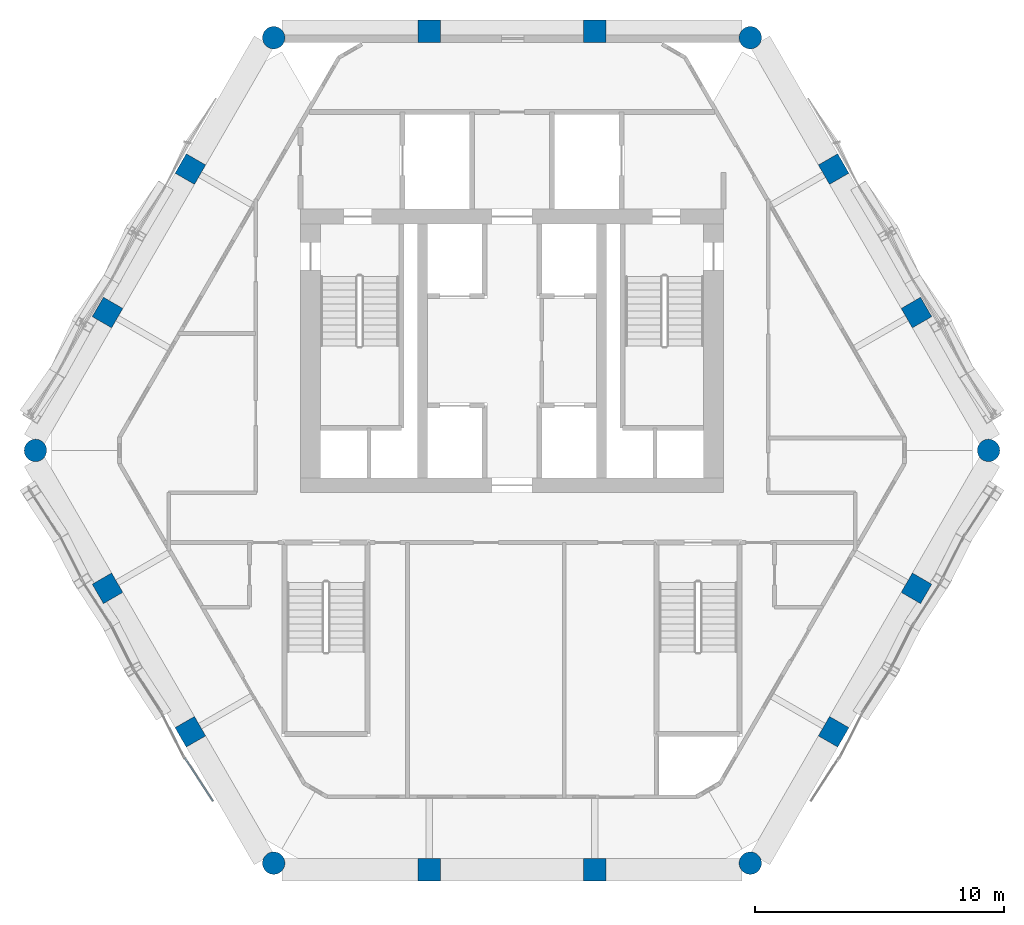
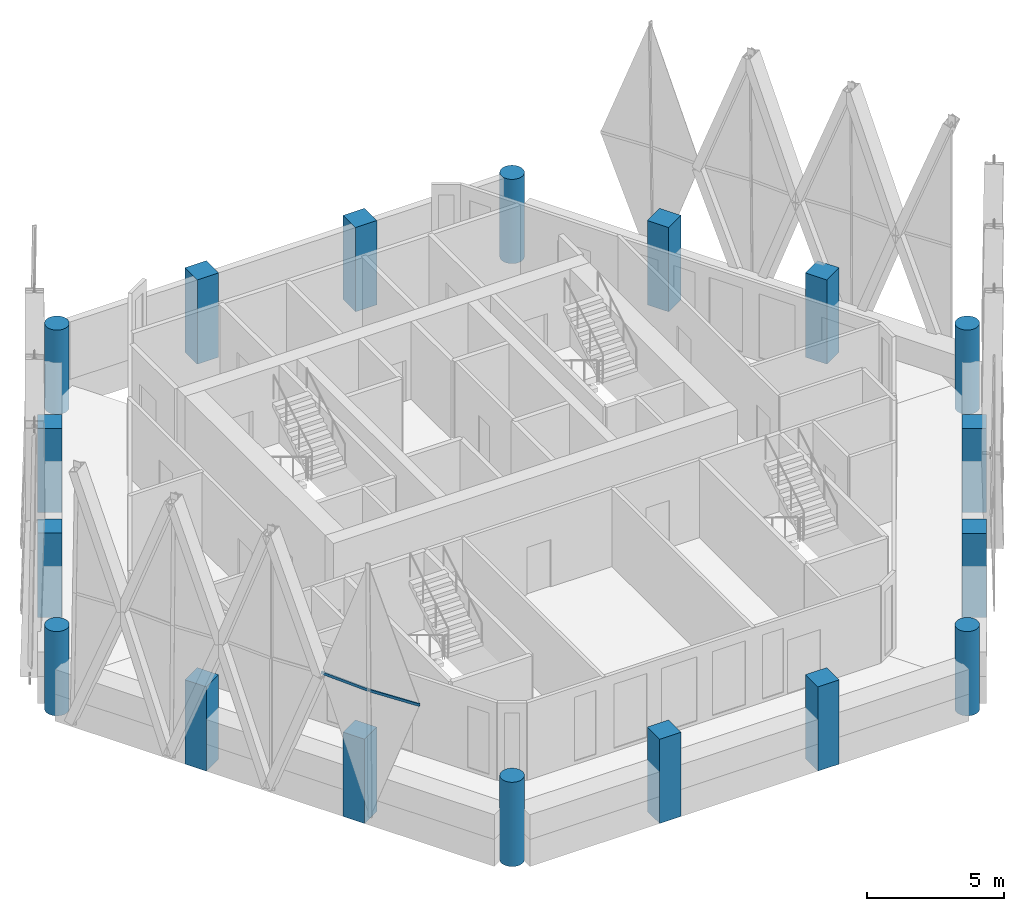
# One storey, part 1 of 18: 18 columns, 2 members, 1 element without a shape of its own.
"""IFC4 building model written with IfcOpenShell, lengths in metres."""

from ifc_helpers import new_model, si_unit, direction, frame, origin, origin_2d, place, context, subcontext, project, spatial, rectangle, hollow_rectangle, circle, extrude, material, material_profile, profile_set, type_object, element, aggregate, save


model = new_model("IFC4")

# Units and contexts
model_context = context("Model", 3, precision=1e-05, world=origin(), true_north=direction((0.0, 1.0)))
body_context = subcontext(model_context, "Body", "Model", "MODEL_VIEW")
ifc_project = project(units=[si_unit("LENGTHUNIT", "METRE"), si_unit("AREAUNIT", "SQUARE_METRE"), si_unit("VOLUMEUNIT", "CUBIC_METRE"), si_unit("PLANEANGLEUNIT", "RADIAN"), si_unit("MASSUNIT", "GRAM", prefix="KILO")], contexts=[model_context])

# Site, building, storey
site_placement = place(None, origin())
site = spatial("IfcSite", under=ifc_project, at=site_placement, CompositionType="ELEMENT")
building_placement = place(site_placement, origin())
building = spatial("IfcBuilding", under=site, at=building_placement, Name="Ostrander Bayou Hotel Tower", CompositionType="ELEMENT")
storey_placement = place(building_placement, frame((0.0, 0.0, 214.5)))
storey = spatial("IfcBuildingStorey", under=building, at=storey_placement, Name="L53", CompositionType="ELEMENT", Elevation=214.5)

# Columns
ifc_material_1 = material(Name="Concrete f'c 60 MPa", Category="concrete")
ifc_material_profile_1 = material_profile(ifc_material_1, circle(Radius=0.449951171875, at=origin_2d()))
ifc_profile_set_1 = profile_set([ifc_material_profile_1], Name="Concrete f'c 60 MPa")
column_type_1 = type_object("IfcColumnType", Name="C7 round column 900 mm f'c 60 MPa", PredefinedType="COLUMN", material=ifc_profile_set_1)
for number, where, z_axis, x_axis, name in (
    (1, (-9.577392578125, 16.588623046875, -1.199951171875), (0.0, 0.0, 1.0), (1.0, 0.0, 0.0), "C7 L53 K0"),
    (2, (-19.155029296875, 0.0, -1.199951171875), (0.0, 0.0, 1.0), (1.0, 0.0, 0.0), "C7 L53 K1"),
    (3, (-9.577392578125, -16.588623046875, -1.199951171875), (0.0, 0.0, 1.0), (1.0, 0.0, 0.0), "C7 L53 K2"),
    (4, (9.577392578125, -16.588623046875, -1.199951171875), (0.0, 0.0, 1.0), (1.0, 0.0, 0.0), "C7 L53 K3"),
    (5, (19.155029296875, 0.0, -1.199951171875), (0.0, 0.0, 1.0), (1.0, 0.0, 0.0), "C7 L53 K4"),
    (6, (9.577392578125, 16.588623046875, -1.199951171875), (0.0, 0.0, 1.0), (1.0, 0.0, 0.0), "C7 L53 K5"),
):
    element("IfcColumn", number, at=place(storey_placement, frame(where, z_axis=z_axis, x_axis=x_axis)), inside=storey, type_object=column_type_1, Name=name, PredefinedType="COLUMN", context=body_context, shape_type="SweptSolid", body=[
        extrude(circle(Radius=0.449951171875, at=origin_2d()), origin(), (0.0, 0.0, 1.0), 3.75),
    ])
ifc_material_2 = material(Name="Concrete f'c 60 MPa", Category="concrete")
ifc_material_profile_2 = material_profile(ifc_material_2, rectangle(XDim=0.89990234375, YDim=0.89990234375, at=origin_2d()))
ifc_profile_set_2 = profile_set([ifc_material_profile_2], Name="Concrete f'c 60 MPa")
column_type_2 = type_object("IfcColumnType", Name="C8 square column 900 x 900 mm f'c 60 MPa", PredefinedType="COLUMN", material=ifc_profile_set_2)
for number, where, z_axis, x_axis, name in (
    (7, (3.329345703125, 16.85009765625, -1.199951171875), (0.0, 0.0, 1.0), (1.0, 0.0, 0.0), "C8 L53 N1"),
    (8, (-3.329345703125, 16.85009765625, -1.199951171875), (0.0, 0.0, 1.0), (1.0, 0.0, 0.0), "C8 L53 N2"),
    (9, (-12.927734375, 11.308349609375, -1.199951171875), (0.0, 0.0, 1.0), (0.5, 0.866025403784, 0.0), "C8 L53 NW1"),
    (10, (-16.257080078125, 5.541748046875, -1.199951171875), (0.0, 0.0, 1.0), (0.5, 0.866025403784, 0.0), "C8 L53 NW2"),
    (11, (-16.257080078125, -5.541748046875, -1.199951171875), (0.0, 0.0, 1.0), (-0.5, 0.866025403784, 0.0), "C8 L53 SW1"),
    (12, (-12.927734375, -11.308349609375, -1.199951171875), (0.0, 0.0, 1.0), (-0.5, 0.866025403784, 0.0), "C8 L53 SW2"),
    (13, (-3.329345703125, -16.85009765625, -1.199951171875), (0.0, 0.0, 1.0), (-1.0, 0.0, 0.0), "C8 L53 S1"),
    (14, (3.329345703125, -16.85009765625, -1.199951171875), (0.0, 0.0, 1.0), (-1.0, 0.0, 0.0), "C8 L53 S2"),
    (15, (12.927734375, -11.308349609375, -1.199951171875), (0.0, 0.0, 1.0), (-0.5, -0.866025403784, 0.0), "C8 L53 SE1"),
    (16, (16.257080078125, -5.541748046875, -1.199951171875), (0.0, 0.0, 1.0), (-0.5, -0.866025403784, 0.0), "C8 L53 SE2"),
    (17, (16.257080078125, 5.541748046875, -1.199951171875), (0.0, 0.0, 1.0), (0.5, -0.866025403784, 0.0), "C8 L53 NE1"),
    (18, (12.927734375, 11.308349609375, -1.199951171875), (0.0, 0.0, 1.0), (0.5, -0.866025403784, 0.0), "C8 L53 NE2"),
):
    element("IfcColumn", number, at=place(storey_placement, frame(where, z_axis=z_axis, x_axis=x_axis)), inside=storey, type_object=column_type_2, Name=name, PredefinedType="COLUMN", context=body_context, shape_type="SweptSolid", body=[
        extrude(rectangle(XDim=0.89990234375, YDim=0.89990234375, at=origin_2d()), origin(), (0.0, 0.0, 1.0), 3.75),
    ])

# Curtain wall, members
ifc_material_3 = material(Name="Aluminium and clear glass", Category="aluminium")
curtain_wall_type = type_object("IfcCurtainWallType", Name="CW-LAT lattice glazing", PredefinedType="NOTDEFINED", material=ifc_material_3)
curtain_wall_placement = place(storey_placement, origin())
curtain_wall = element("IfcCurtainWall", 19, at=curtain_wall_placement, inside=storey, type_object=curtain_wall_type, Name="CW-LAT L53 SW 2", PredefinedType="NOTDEFINED")
ifc_material_4 = material(Name="Aluminium", Category="aluminium")
ifc_material_profile_3 = material_profile(ifc_material_4, hollow_rectangle(XDim=0.06005859375, YDim=0.1201171875, WallThickness=0.00390625, at=origin_2d()))
ifc_profile_set_3 = profile_set([ifc_material_profile_3], Name="Aluminium")
member_type = type_object("IfcMemberType", Name="CW-LA transom 60 x 120 mm", PredefinedType="USERDEFINED", material=ifc_profile_set_3)
member_1_placement = place(storey_placement, frame((-13.151611328125, -12.36083984375, 5.02490234375), z_axis=(-0.45348522251, 0.891263795386, 0.0), x_axis=(-0.891263795386, -0.45348522251, 0.0)))
member_1 = element("IfcMember", 20, at=member_1_placement, type_object=member_type, Name="CW-LAT transom 14", ObjectType="TRANSOM", PredefinedType="USERDEFINED", context=body_context, shape_type="SweptSolid", body=[
    extrude(hollow_rectangle(XDim=0.06005859375, YDim=0.1201171875, WallThickness=0.00390625, at=origin_2d()), origin(), (0.0, 0.0, 1.0), 2.0673828125),
])
member_2_placement = place(storey_placement, frame((-13.151611328125, -12.36083984375, 5.02490234375), z_axis=(0.545208318422, -0.838300596161, 0.0), x_axis=(0.838300596161, 0.545208318422, 0.0)))
member_2 = element("IfcMember", 21, at=member_2_placement, type_object=member_type, Name="CW-LAT transom 15", ObjectType="TRANSOM", PredefinedType="USERDEFINED", context=body_context, shape_type="SweptSolid", body=[
    extrude(hollow_rectangle(XDim=0.06005859375, YDim=0.1201171875, WallThickness=0.00390625, at=origin_2d()), origin(), (0.0, 0.0, 1.0), 2.0673828125),
])
aggregate(curtain_wall, [member_1, member_2])

save(model, "model.ifc")
